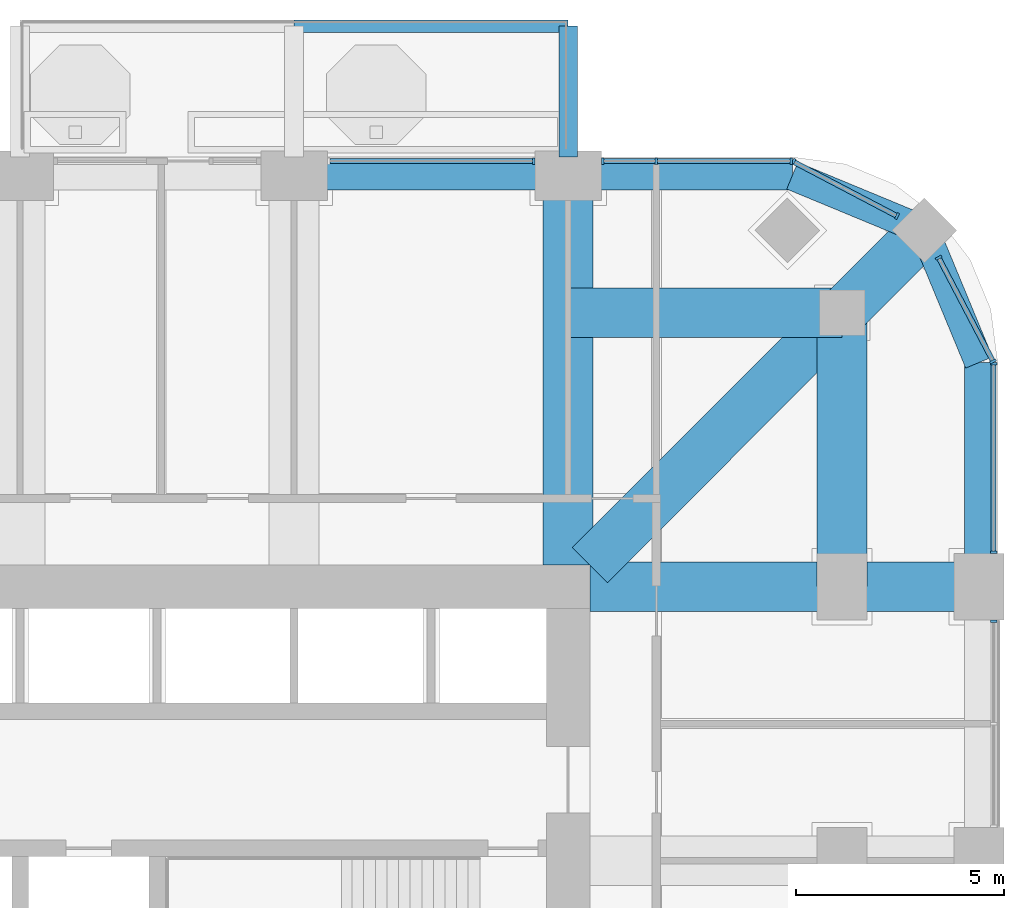
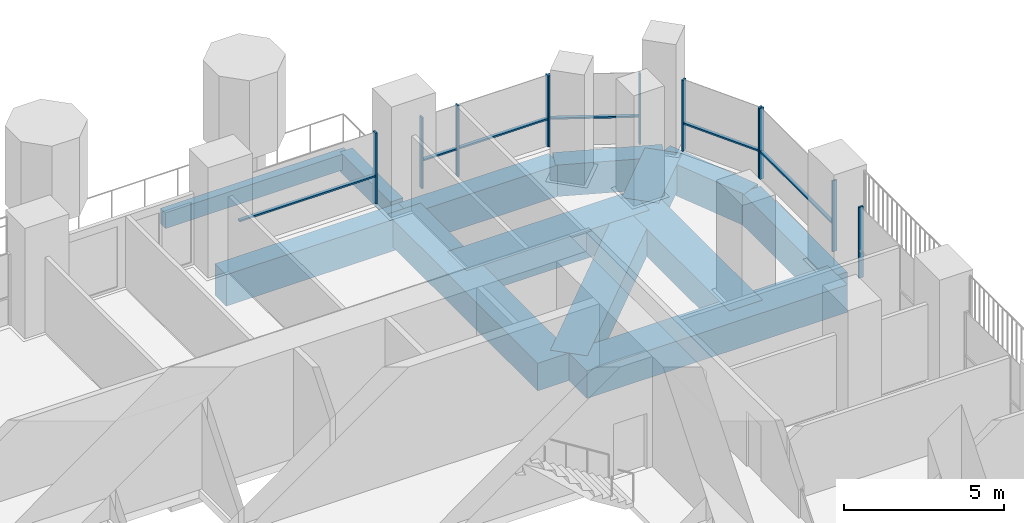
# One storey, part 7 of 20: 17 members, 13 beams, 6 elements without a shape of their own.
"""IFC4 building model written with IfcOpenShell, lengths in metres."""

from ifc_helpers import new_model, si_unit, direction, frame, origin, origin_2d, place, context, subcontext, project, spatial, rectangle, extrude, material, material_profile, profile_set, type_object, element, aggregate, save


model = new_model("IFC4")

# Units and contexts
model_context = context("Model", 3, precision=1e-05, world=origin(), true_north=direction((0.0, 1.0)))
body_context = subcontext(model_context, "Body", "Model", "MODEL_VIEW")
ifc_project = project(units=[si_unit("LENGTHUNIT", "METRE"), si_unit("AREAUNIT", "SQUARE_METRE"), si_unit("VOLUMEUNIT", "CUBIC_METRE"), si_unit("PLANEANGLEUNIT", "RADIAN"), si_unit("MASSUNIT", "GRAM", prefix="KILO")], contexts=[model_context])

# Site, building, storey
site_placement = place(None, origin())
site = spatial("IfcSite", under=ifc_project, at=site_placement, CompositionType="ELEMENT")
building_placement = place(site_placement, origin())
building = spatial("IfcBuilding", under=site, at=building_placement, Name="Cobogo Forest Laboratory Tower", CompositionType="ELEMENT")
storey_placement = place(building_placement, frame((0.0, 0.0, 189.300048828125)))
storey = spatial("IfcBuildingStorey", under=building, at=storey_placement, Name="L43", CompositionType="ELEMENT", Elevation=189.300048828125)

# Beams
ifc_material_1 = material(Name="Concrete HA-40 (C40/50)", Category="concrete")
ifc_material_profile_1 = material_profile(ifc_material_1, rectangle(XDim=0.449951171875, YDim=0.75, at=origin_2d()), Name="RC 450x750")
ifc_profile_set_1 = profile_set([ifc_material_profile_1], Name="Concrete HA-40 (C40/50)")
beam_type_1 = type_object("IfcBeamType", Name="Balcony cantilever beam 450x750", PredefinedType="BEAM", material=ifc_profile_set_1)
beam_1_placement = place(storey_placement, frame((39.60009765625, 43.35009765625, -0.625), z_axis=(0.0, 1.0, 0.0), x_axis=(-1.0, 0.0, 0.0)))
element("IfcBeam", 1, at=beam_1_placement, inside=storey, type_object=beam_type_1, Name="CB1 BAL-N1-C3 L43", PredefinedType="BEAM", context=body_context, shape_type="SweptSolid", body=[
    extrude(rectangle(XDim=0.449951171875, YDim=0.75, at=origin_2d()), origin(), (0.0, 0.0, 1.0), 3.14990234375),
])
ifc_material_profile_2 = material_profile(ifc_material_1, rectangle(XDim=0.300048828125, YDim=0.60009765625, at=origin_2d()), Name="RC 300x600")
ifc_profile_set_2 = profile_set([ifc_material_profile_2], Name="Concrete HA-40 (C40/50)")
beam_type_2 = type_object("IfcBeamType", Name="Balcony edge beam 300x600", PredefinedType="BEAM", material=ifc_profile_set_2)
beam_2_placement = place(storey_placement, frame((33.0, 46.5, -0.550048828125), z_axis=(1.0, 0.0, 0.0), x_axis=(0.0, 1.0, 0.0)))
element("IfcBeam", 2, at=beam_2_placement, inside=storey, type_object=beam_type_2, Name="BB1 BAL-N1-T2 L43", PredefinedType="BEAM", context=body_context, shape_type="SweptSolid", body=[
    extrude(rectangle(XDim=0.300048828125, YDim=0.60009765625, at=origin_2d()), origin(), (0.0, 0.0, 1.0), 6.60009765625),
])
ifc_material_profile_3 = material_profile(ifc_material_1, rectangle(XDim=1.199951171875, YDim=1.050048828125, at=origin_2d()), Name="RC 1200x1050")
ifc_profile_set_3 = profile_set([ifc_material_profile_3], Name="Concrete HA-40 (C40/50)")
beam_type_3 = type_object("IfcBeamType", Name="Laboratory floor wide beam 1200x1050", PredefinedType="BEAM", material=ifc_profile_set_3)
for number, where, z_axis, x_axis, name in (
    (3, (39.60009765625, 33.52490234375, -0.824951171875), (0.0, 1.0, 0.0), (-1.0, 0.0, 0.0), "RB1 R-7-N L43"),
    (4, (40.125, 33.0, -0.824951171875), (1.0, 0.0, 0.0), (0.0, 1.0, 0.0), "RB1 R-F-E L43"),
):
    element("IfcBeam", number, at=place(storey_placement, frame(where, z_axis=z_axis, x_axis=x_axis)), inside=storey, type_object=beam_type_3, Name=name, PredefinedType="BEAM", context=body_context, shape_type="SweptSolid", body=[
        extrude(rectangle(XDim=1.199951171875, YDim=1.050048828125, at=origin_2d()), origin(), (0.0, 0.0, 1.0), 9.375),
    ])
beam_3_placement = place(storey_placement, frame((46.199951171875, 39.60009765625, -0.824951171875), z_axis=(0.0, -1.0, 0.0), x_axis=(1.0, 0.0, 0.0)))
element("IfcBeam", 5, at=beam_3_placement, inside=storey, type_object=beam_type_3, Name="RB1 G-NE-XC L43", PredefinedType="BEAM", context=body_context, shape_type="SweptSolid", body=[
    extrude(rectangle(XDim=1.199951171875, YDim=1.050048828125, at=origin_2d()), origin(), (0.0, 0.0, 1.0), 6.60009765625),
])
beam_4_placement = place(storey_placement, frame((46.199951171875, 39.60009765625, -0.824951171875), z_axis=(-1.0, 0.0, 0.0), x_axis=(0.0, -1.0, 0.0)))
element("IfcBeam", 6, at=beam_4_placement, inside=storey, type_object=beam_type_3, Name="RB1 G-NE-YC L43", PredefinedType="BEAM", context=body_context, shape_type="SweptSolid", body=[
    extrude(rectangle(XDim=1.199951171875, YDim=1.050048828125, at=origin_2d()), origin(), (0.0, 0.0, 1.0), 6.599853515625),
])
beam_5_placement = place(storey_placement, frame((48.181884765625, 41.58203125, -0.824951171875), z_axis=(-0.707106781187, -0.707106781187, 0.0), x_axis=(0.707106781187, -0.707106781187, 0.0)))
element("IfcBeam", 7, at=beam_5_placement, inside=storey, type_object=beam_type_3, Name="RB1 G-NE-D1 L43", PredefinedType="BEAM", context=body_context, shape_type="SweptSolid", body=[
    extrude(rectangle(XDim=1.199951171875, YDim=1.050048828125, at=origin_2d()), origin(), (0.0, 0.0, 1.0), 2.802978515625),
])
beam_6_placement = place(storey_placement, frame((46.199951171875, 39.60009765625, -0.824951171875), z_axis=(-0.707092572697, -0.70712098939, 0.0), x_axis=(0.70712098939, -0.707092572697, 0.0)))
element("IfcBeam", 8, at=beam_6_placement, inside=storey, type_object=beam_type_3, Name="RB1 G-NE-D2 L43", PredefinedType="BEAM", context=body_context, shape_type="SweptSolid", body=[
    extrude(rectangle(XDim=1.199951171875, YDim=1.050048828125, at=origin_2d()), origin(), (0.0, 0.0, 1.0), 8.591552734375),
])

# Curtain wall, member
ifc_material_2 = material(Name="Aluminium curtain wall", Category="aluminium")
curtain_wall_type = type_object("IfcCurtainWallType", Name="CW-2 unitised curtain wall, solar control glazing, laboratory floors zones C and D", PredefinedType="USERDEFINED", material=ifc_material_2)
curtain_wall_1_placement = place(storey_placement, origin())
curtain_wall_1 = element("IfcCurtainWall", 9, at=curtain_wall_1_placement, inside=storey, type_object=curtain_wall_type, Name="Curtain wall 12 L43", ObjectType="UNITISED CURTAIN WALL", PredefinedType="USERDEFINED")
ifc_material_3 = material(Name="Aluminium mullion", Category="aluminium")
ifc_material_profile_4 = material_profile(ifc_material_3, rectangle(XDim=0.06005859375, YDim=0.159912109375, at=origin_2d()), Name="AL 60x160")
ifc_profile_set_4 = profile_set([ifc_material_profile_4], Name="Aluminium mullion")
member_type_1 = type_object("IfcMemberType", Name="MU-1 aluminium mullion 60x160", PredefinedType="MULLION", material=ifc_profile_set_4)
member_1_placement = place(storey_placement, frame((49.85009765625, 32.169921875, 0.0), z_axis=(0.0, 0.0, 1.0), x_axis=(0.0, 1.0, 0.0)))
member_1 = element("IfcMember", 10, at=member_1_placement, type_object=member_type_1, Name="CW-2 mullion 3", PredefinedType="MULLION", context=body_context, shape_type="SweptSolid", body=[
    extrude(rectangle(XDim=0.06005859375, YDim=0.159912109375, at=origin_2d()), origin(), (0.0, 0.0, 1.0), 2.699951171875),
])
aggregate(curtain_wall_1, [member_1])

# Curtain wall, members
curtain_wall_2_placement = place(storey_placement, origin())
curtain_wall_2 = element("IfcCurtainWall", 11, at=curtain_wall_2_placement, inside=storey, type_object=curtain_wall_type, Name="Curtain wall 13 L43", ObjectType="UNITISED CURTAIN WALL", PredefinedType="USERDEFINED")
member_2_placement = place(storey_placement, frame((49.85009765625, 33.830078125, 0.0), z_axis=(0.0, 0.0, 1.0), x_axis=(0.0, 1.0, 0.0)))
member_2 = element("IfcMember", 12, at=member_2_placement, type_object=member_type_1, Name="CW-2 mullion 1", PredefinedType="MULLION", context=body_context, shape_type="SweptSolid", body=[
    extrude(rectangle(XDim=0.06005859375, YDim=0.159912109375, at=origin_2d()), origin(), (0.0, 0.0, 1.0), 2.699951171875),
])
member_3_placement = place(storey_placement, frame((49.85009765625, 38.3701171875, 0.0), z_axis=(0.0, 0.0, 1.0), x_axis=(0.0, 1.0, 0.0)))
member_3 = element("IfcMember", 13, at=member_3_placement, type_object=member_type_1, Name="CW-2 mullion 2", PredefinedType="MULLION", context=body_context, shape_type="SweptSolid", body=[
    extrude(rectangle(XDim=0.06005859375, YDim=0.159912109375, at=origin_2d()), origin(), (0.0, 0.0, 1.0), 2.699951171875),
])

curtain_wall_3_placement = place(storey_placement, origin())
curtain_wall_3 = element("IfcCurtainWall", 14, at=curtain_wall_3_placement, inside=storey, type_object=curtain_wall_type, Name="Curtain wall 14 L43", ObjectType="UNITISED CURTAIN WALL", PredefinedType="USERDEFINED")
member_4_placement = place(storey_placement, frame((49.836181640625, 38.426513671875, 0.0), z_axis=(0.0, 0.0, 1.0), x_axis=(-0.464283804832, 0.885686484356, 0.0)))
member_4 = element("IfcMember", 15, at=member_4_placement, type_object=member_type_1, Name="CW-2 mullion 1", PredefinedType="MULLION", context=body_context, shape_type="SweptSolid", body=[
    extrude(rectangle(XDim=0.06005859375, YDim=0.159912109375, at=origin_2d()), origin(), (0.0, 0.0, 1.0), 2.699951171875),
])
member_5_placement = place(storey_placement, frame((48.526611328125, 40.924560546875, 0.0), z_axis=(0.0, 0.0, 1.0), x_axis=(-0.464283804832, 0.885686484356, 0.0)))
member_5 = element("IfcMember", 16, at=member_5_placement, type_object=member_type_1, Name="CW-2 mullion 2", PredefinedType="MULLION", context=body_context, shape_type="SweptSolid", body=[
    extrude(rectangle(XDim=0.06005859375, YDim=0.159912109375, at=origin_2d()), origin(), (0.0, 0.0, 1.0), 2.699951171875),
])

curtain_wall_4_placement = place(storey_placement, origin())
curtain_wall_4 = element("IfcCurtainWall", 17, at=curtain_wall_4_placement, inside=storey, type_object=curtain_wall_type, Name="Curtain wall 15 L43", ObjectType="UNITISED CURTAIN WALL", PredefinedType="USERDEFINED")
member_6_placement = place(storey_placement, frame((47.5244140625, 41.9267578125, 0.0), z_axis=(0.0, 0.0, 1.0), x_axis=(-0.885686484356, 0.464283804832, 0.0)))
member_6 = element("IfcMember", 18, at=member_6_placement, type_object=member_type_1, Name="CW-2 mullion 1", PredefinedType="MULLION", context=body_context, shape_type="SweptSolid", body=[
    extrude(rectangle(XDim=0.06005859375, YDim=0.159912109375, at=origin_2d()), origin(), (0.0, 0.0, 1.0), 2.699951171875),
])
member_7_placement = place(storey_placement, frame((45.026611328125, 43.236083984375, 0.0), z_axis=(0.0, 0.0, 1.0), x_axis=(-0.885686484356, 0.464283804832, 0.0)))
member_7 = element("IfcMember", 19, at=member_7_placement, type_object=member_type_1, Name="CW-2 mullion 2", PredefinedType="MULLION", context=body_context, shape_type="SweptSolid", body=[
    extrude(rectangle(XDim=0.06005859375, YDim=0.159912109375, at=origin_2d()), origin(), (0.0, 0.0, 1.0), 2.699951171875),
])

curtain_wall_5_placement = place(storey_placement, origin())
curtain_wall_5 = element("IfcCurtainWall", 20, at=curtain_wall_5_placement, inside=storey, type_object=curtain_wall_type, Name="Curtain wall 16 L43", ObjectType="UNITISED CURTAIN WALL", PredefinedType="USERDEFINED")
member_8_placement = place(storey_placement, frame((44.969970703125, 43.25, 0.0), z_axis=(0.0, 0.0, 1.0), x_axis=(-1.0, 0.0, 0.0)))
member_8 = element("IfcMember", 21, at=member_8_placement, type_object=member_type_1, Name="CW-2 mullion 1", PredefinedType="MULLION", context=body_context, shape_type="SweptSolid", body=[
    extrude(rectangle(XDim=0.06005859375, YDim=0.159912109375, at=origin_2d()), origin(), (0.0, 0.0, 1.0), 2.699951171875),
])
member_9_placement = place(storey_placement, frame((41.72509765625, 43.25, 0.0), z_axis=(0.0, 0.0, 1.0), x_axis=(-1.0, 0.0, 0.0)))
member_9 = element("IfcMember", 22, at=member_9_placement, type_object=member_type_1, Name="CW-2 mullion 2", PredefinedType="MULLION", context=body_context, shape_type="SweptSolid", body=[
    extrude(rectangle(XDim=0.06005859375, YDim=0.159912109375, at=origin_2d()), origin(), (0.0, 0.0, 1.0), 2.699951171875),
])
member_10_placement = place(storey_placement, frame((40.429931640625, 43.25, 0.0), z_axis=(0.0, 0.0, 1.0), x_axis=(-1.0, 0.0, 0.0)))
member_10 = element("IfcMember", 23, at=member_10_placement, type_object=member_type_1, Name="CW-2 mullion 3", PredefinedType="MULLION", context=body_context, shape_type="SweptSolid", body=[
    extrude(rectangle(XDim=0.06005859375, YDim=0.159912109375, at=origin_2d()), origin(), (0.0, 0.0, 1.0), 2.699951171875),
])

# Curtain wall, member
curtain_wall_6_placement = place(storey_placement, origin())
curtain_wall_6 = element("IfcCurtainWall", 24, at=curtain_wall_6_placement, inside=storey, type_object=curtain_wall_type, Name="Curtain wall 17 L43", ObjectType="UNITISED CURTAIN WALL", PredefinedType="USERDEFINED")
member_11_placement = place(storey_placement, frame((38.77001953125, 43.25, 0.0), z_axis=(0.0, 0.0, 1.0), x_axis=(-1.0, 0.0, 0.0)))
member_11 = element("IfcMember", 25, at=member_11_placement, type_object=member_type_1, Name="CW-2 mullion 1", PredefinedType="MULLION", context=body_context, shape_type="SweptSolid", body=[
    extrude(rectangle(XDim=0.06005859375, YDim=0.159912109375, at=origin_2d()), origin(), (0.0, 0.0, 1.0), 2.699951171875),
])

# Beams
ifc_material_profile_5 = material_profile(ifc_material_1, rectangle(XDim=0.699951171875, YDim=1.199951171875, at=origin_2d()), Name="RC 700x1200")
ifc_profile_set_5 = profile_set([ifc_material_profile_5], Name="Concrete HA-40 (C40/50)")
beam_type_4 = type_object("IfcBeamType", Name="Perimeter edge beam 700x1200", PredefinedType="BEAM", material=ifc_profile_set_5)
beam_7_placement = place(storey_placement, frame((33.0, 42.89990234375, -0.900146484375), z_axis=(1.0, 0.0, 0.0), x_axis=(0.0, 1.0, 0.0)))
element("IfcBeam", 26, at=beam_7_placement, inside=storey, type_object=beam_type_4, Name="EB1 E-N4 L43", PredefinedType="BEAM", context=body_context, shape_type="SweptSolid", body=[
    extrude(rectangle(XDim=0.699951171875, YDim=1.199951171875, at=origin_2d()), origin(), (0.0, 0.0, 1.0), 6.60009765625),
])
beam_8_placement = place(storey_placement, frame((49.5, 33.0, -0.900146484375), z_axis=(0.0, 1.0, 0.0), x_axis=(-1.0, 0.0, 0.0)))
element("IfcBeam", 27, at=beam_8_placement, inside=storey, type_object=beam_type_4, Name="EB1 E-NEE1 L43", PredefinedType="BEAM", context=body_context, shape_type="SweptSolid", body=[
    extrude(rectangle(XDim=0.699951171875, YDim=1.199951171875, at=origin_2d()), origin(), (0.0, 0.0, 1.0), 5.39990234375),
])
beam_9_placement = place(storey_placement, frame((49.5, 38.39990234375, -0.900146484375), z_axis=(-0.382691928466, 0.923876013265, 0.0), x_axis=(-0.923876013265, -0.382691928466, 0.0)))
element("IfcBeam", 28, at=beam_9_placement, inside=storey, type_object=beam_type_4, Name="EB1 E-NEE2 L43", PredefinedType="BEAM", context=body_context, shape_type="SweptSolid", body=[
    extrude(rectangle(XDim=0.699951171875, YDim=1.199951171875, at=origin_2d()), origin(), (0.0, 0.0, 1.0), 3.4443359375),
])
beam_10_placement = place(storey_placement, frame((39.60009765625, 42.89990234375, -0.900146484375), z_axis=(1.0, 0.0, 0.0), x_axis=(0.0, 1.0, 0.0)))
element("IfcBeam", 29, at=beam_10_placement, inside=storey, type_object=beam_type_4, Name="EB1 E-NEN1 L43", PredefinedType="BEAM", context=body_context, shape_type="SweptSolid", body=[
    extrude(rectangle(XDim=0.699951171875, YDim=1.199951171875, at=origin_2d()), origin(), (0.0, 0.0, 1.0), 5.39990234375),
])
beam_11_placement = place(storey_placement, frame((45.0, 42.89990234375, -0.900146484375), z_axis=(0.923890694089, -0.382656484822, 0.0), x_axis=(0.382656484822, 0.923890694089, 0.0)))
element("IfcBeam", 30, at=beam_11_placement, inside=storey, type_object=beam_type_4, Name="EB1 E-NEN2 L43", PredefinedType="BEAM", context=body_context, shape_type="SweptSolid", body=[
    extrude(rectangle(XDim=0.699951171875, YDim=1.199951171875, at=origin_2d()), origin(), (0.0, 0.0, 1.0), 3.444091796875),
])

# Member
ifc_material_4 = material(Name="Aluminium transom", Category="aluminium")
ifc_material_profile_6 = material_profile(ifc_material_4, rectangle(XDim=0.1201171875, YDim=0.06005859375, at=origin_2d()), Name="AL 60x120")
ifc_profile_set_6 = profile_set([ifc_material_profile_6], Name="Aluminium transom")
member_type_2 = type_object("IfcMemberType", Name="TR-1 aluminium transom 60x120", PredefinedType="USERDEFINED", material=ifc_profile_set_6)
member_12_placement = place(storey_placement, frame((49.85009765625, 33.860107421875, 1.050048828125), z_axis=(0.0, 1.0, 0.0), x_axis=(-1.0, 0.0, 0.0)))
member_12 = element("IfcMember", 31, at=member_12_placement, type_object=member_type_2, Name="CW-2 transom 1.1", ObjectType="TRANSOM", PredefinedType="USERDEFINED", context=body_context, shape_type="SweptSolid", body=[
    extrude(rectangle(XDim=0.1201171875, YDim=0.06005859375, at=origin_2d()), origin(), (0.0, 0.0, 1.0), 4.47998046875),
])

aggregate(curtain_wall_2, [member_2, member_3, member_12])

member_13_placement = place(storey_placement, frame((49.822021484375, 38.453125, 1.050048828125), z_axis=(-0.464254846591, 0.88570166389, 0.0), x_axis=(-0.88570166389, -0.464254846591, 0.0)))
member_13 = element("IfcMember", 32, at=member_13_placement, type_object=member_type_2, Name="CW-2 transom 1.1", ObjectType="TRANSOM", PredefinedType="USERDEFINED", context=body_context, shape_type="SweptSolid", body=[
    extrude(rectangle(XDim=0.1201171875, YDim=0.06005859375, at=origin_2d()), origin(), (0.0, 0.0, 1.0), 2.76025390625),
])

aggregate(curtain_wall_3, [member_4, member_5, member_13])

member_14_placement = place(storey_placement, frame((47.497802734375, 41.940673828125, 1.050048828125), z_axis=(-0.885682598583, 0.464291217414, 0.0), x_axis=(-0.464291217414, -0.885682598583, 0.0)))
member_14 = element("IfcMember", 33, at=member_14_placement, type_object=member_type_2, Name="CW-2 transom 1.1", ObjectType="TRANSOM", PredefinedType="USERDEFINED", context=body_context, shape_type="SweptSolid", body=[
    extrude(rectangle(XDim=0.1201171875, YDim=0.06005859375, at=origin_2d()), origin(), (0.0, 0.0, 1.0), 2.760009765625),
])

aggregate(curtain_wall_4, [member_6, member_7, member_14])

member_15_placement = place(storey_placement, frame((44.93994140625, 43.25, 1.050048828125), z_axis=(-1.0, 0.0, 0.0), x_axis=(0.0, -1.0, 0.0)))
member_15 = element("IfcMember", 34, at=member_15_placement, type_object=member_type_2, Name="CW-2 transom 1.1", ObjectType="TRANSOM", PredefinedType="USERDEFINED", context=body_context, shape_type="SweptSolid", body=[
    extrude(rectangle(XDim=0.1201171875, YDim=0.06005859375, at=origin_2d()), origin(), (0.0, 0.0, 1.0), 3.18505859375),
])

member_16_placement = place(storey_placement, frame((41.695068359375, 43.25, 1.050048828125), z_axis=(-1.0, 0.0, 0.0), x_axis=(0.0, -1.0, 0.0)))
member_16 = element("IfcMember", 35, at=member_16_placement, type_object=member_type_2, Name="CW-2 transom 2.1", ObjectType="TRANSOM", PredefinedType="USERDEFINED", context=body_context, shape_type="SweptSolid", body=[
    extrude(rectangle(XDim=0.1201171875, YDim=0.06005859375, at=origin_2d()), origin(), (0.0, 0.0, 1.0), 1.235107421875),
])

aggregate(curtain_wall_5, [member_8, member_9, member_10, member_15, member_16])

member_17_placement = place(storey_placement, frame((38.739990234375, 43.25, 1.050048828125), z_axis=(-1.0, 0.0, 0.0), x_axis=(0.0, -1.0, 0.0)))
member_17 = element("IfcMember", 36, at=member_17_placement, type_object=member_type_2, Name="CW-2 transom 1.1", ObjectType="TRANSOM", PredefinedType="USERDEFINED", context=body_context, shape_type="SweptSolid", body=[
    extrude(rectangle(XDim=0.1201171875, YDim=0.06005859375, at=origin_2d()), origin(), (0.0, 0.0, 1.0), 4.8798828125),
])

aggregate(curtain_wall_6, [member_11, member_17])

save(model, "model.ifc")
